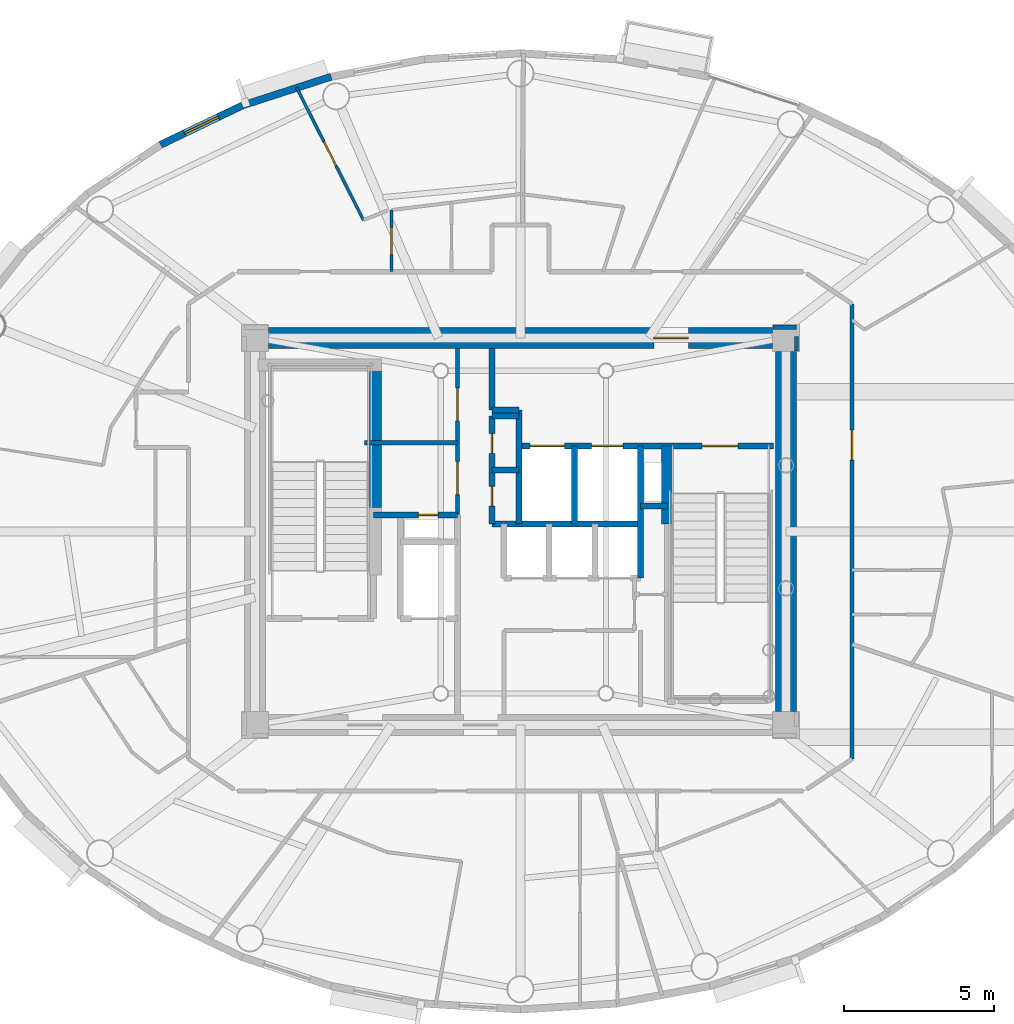
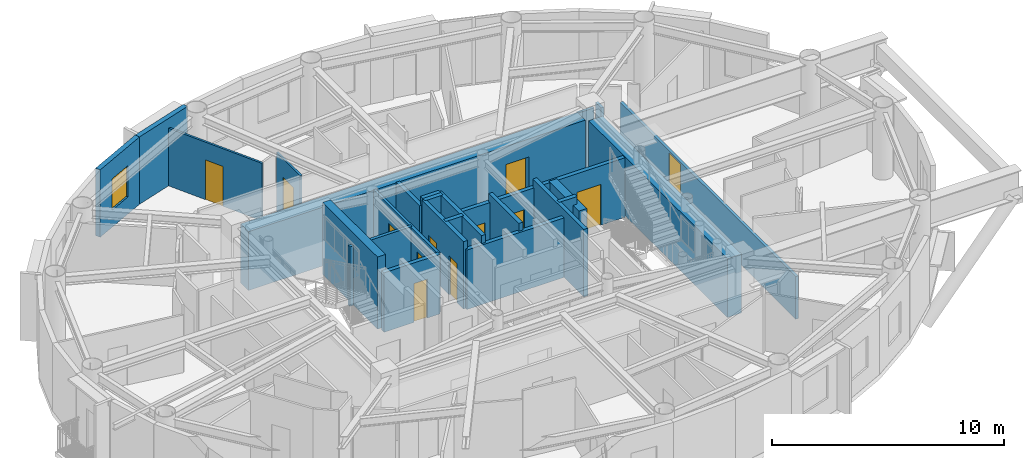
# One storey, part 8 of 17: 25 walls, 12 doors, 1 window, 13 openings.
"""IFC4 building model written with IfcOpenShell, lengths in metres."""

from ifc_helpers import new_model, si_unit, direction, frame, frame_2d, origin, origin_2d, place, context, subcontext, project, spatial, rectangle, extrude, source, transform, mapped, material, layer, layer_set, type_object, element, fill, save


model = new_model("IFC4")

# Units and contexts
model_context = context("Model", 3, precision=1e-05, world=origin(), true_north=direction((0.0, 1.0)))
body_context = subcontext(model_context, "Body", "Model", "MODEL_VIEW")
ifc_project = project(units=[si_unit("LENGTHUNIT", "METRE"), si_unit("AREAUNIT", "SQUARE_METRE"), si_unit("VOLUMEUNIT", "CUBIC_METRE"), si_unit("PLANEANGLEUNIT", "RADIAN"), si_unit("MASSUNIT", "GRAM", prefix="KILO")], contexts=[model_context])

# Site, building, storey
site_placement = place(None, origin())
site = spatial("IfcSite", under=ifc_project, at=site_placement, CompositionType="ELEMENT")
building_placement = place(site_placement, origin())
building = spatial("IfcBuilding", under=site, at=building_placement, Name="Linh Dai School and Residence Tower", CompositionType="ELEMENT")
storey_placement = place(building_placement, frame((0.0, 0.0, 335.39990234375)))
storey = spatial("IfcBuildingStorey", under=building, at=storey_placement, Name="L83", CompositionType="ELEMENT", Elevation=335.39990234375)

# Wall
ifc_material_1 = material(Name="Precast Concrete B45 (C35/45)", Category="concrete")
ifc_layer_1 = layer(ifc_material_1, 0.239990234375)
ifc_layer_set_1 = layer_set([ifc_layer_1], Name="Precast Concrete B45 (C35/45)")
wall_type_1 = type_object("IfcWallType", Name="EW-TC-240", PredefinedType="SOLIDWALL", material=ifc_layer_set_1)
wall_1_placement = place(storey_placement, frame((26.739501953125, 41.18896484375, 0.0), z_axis=(0.0, 0.0, 1.0), x_axis=(0.951212850731, 0.308535431682, 0.0)))
element("IfcWall", 1, at=wall_1_placement, inside=storey, type_object=wall_type_1, Name="L83 Terracotta Exterior Wall 13", PredefinedType="SOLIDWALL", context=body_context, shape_type="SweptSolid", body=[
    extrude(rectangle(XDim=3.108154296875, YDim=0.239990234375, at=frame_2d((1.55419921875, 0.0))), origin(), (0.0, 0.0, 1.0), 3.550048828125),
])

# Wall, opening, window
wall_2_placement = place(storey_placement, frame((24.01220703125, 39.880126953125, 0.0), z_axis=(0.0, 0.0, 1.0), x_axis=(0.901557057889, 0.432660226241, 0.0)))
wall_2 = element("IfcWall", 2, at=wall_2_placement, inside=storey, type_object=wall_type_1, Name="L83 Terracotta Exterior Wall 14", PredefinedType="SOLIDWALL", context=body_context, shape_type="SweptSolid", body=[
    extrude(rectangle(XDim=3.025146484375, YDim=0.239990234375, at=frame_2d((1.5126953125, 0.0))), origin(), (0.0, 0.0, 1.0), 3.550048828125),
])
opening_1_placement = place(wall_2_placement, frame((0.8876953125, 0.0, 0.89990234375)))
opening_1 = element("IfcOpeningElement", 3, at=opening_1_placement, cuts=wall_2, Name="Opening W3", PredefinedType="OPENING", context=body_context, shape_type="SweptSolid", body=[
    extrude(rectangle(XDim=1.25, YDim=1.64990234375, at=origin_2d()), frame((0.625, 0.1298828125, 0.824951171875), z_axis=(0.0, -1.0, 0.0), x_axis=(1.0, 0.0, 0.0)), (0.0, 0.0, 1.0), 0.260009765625),
])
ifc_material_2 = material(Name="Double Low-E Insulated Glazing", Category="glass")
window_type = type_object("IfcWindowType", Name="WN-RES-1250x1650", PartitioningType="SINGLE_PANEL", PredefinedType="WINDOW", material=ifc_material_2)
shared_shape_1 = source(origin(), body_context, "Body", "SweptSolid", [
    extrude(rectangle(XDim=1.25, YDim=1.64990234375, at=origin_2d()), frame((0.625, 0.030029296875, 0.824951171875), z_axis=(0.0, -1.0, 0.0), x_axis=(1.0, 0.0, 0.0)), (0.0, 0.0, 1.0), 0.06005859375),
])
window_placement = place(opening_1_placement, origin())
window = element("IfcWindow", 4, at=window_placement, inside=storey, type_object=window_type, Name="L83 Exterior Window 14.1", OverallHeight=1.64990234375, OverallWidth=1.25, PartitioningType="SINGLE_PANEL", PredefinedType="WINDOW", context=body_context, shape_type="MappedRepresentation", body=[
    mapped(shared_shape_1, transform((0.0, 0.0, 0.0), x_axis=(1.0, 0.0, 0.0), y_axis=(0.0, 1.0, 0.0), z_axis=(0.0, 0.0, 1.0), scale=1.0)),
])
fill(opening_1, window)

# Wall, openings, doors
ifc_material_3 = material(Name="Autoclaved Aerated Concrete Blockwork", Category="masonry")
ifc_layer_2 = layer(ifc_material_3, 0.135009765625)
ifc_layer_set_2 = layer_set([ifc_layer_2], Name="Autoclaved Aerated Concrete Blockwork")
wall_type_2 = type_object("IfcWallType", Name="IW-CORR-135-EI90", PredefinedType="PARTITIONING", material=ifc_layer_set_2)
wall_3_placement = place(storey_placement, frame((33.89990234375, 27.56005859375, 0.0), z_axis=(0.0, 0.0, 1.0), x_axis=(0.0, 1.0, 0.0)))
wall_3 = element("IfcWall", 5, at=wall_3_placement, inside=storey, type_object=wall_type_2, Name="L83 Interior Partition Wall 039", PredefinedType="PARTITIONING", context=body_context, shape_type="SweptSolid", body=[
    extrude(rectangle(XDim=5.5400390625, YDim=0.135009765625, at=frame_2d((2.77001953125, 0.0))), origin(), (0.0, 0.0, 1.0), 3.135009765625),
])
opening_2_placement = place(wall_3_placement, frame((0.6650390625, 0.0, 0.0)))
opening_2 = element("IfcOpeningElement", 6, at=opening_2_placement, cuts=wall_3, Name="Opening D07", PredefinedType="OPENING", context=body_context, shape_type="SweptSolid", body=[
    extrude(rectangle(XDim=1.10009765625, YDim=2.14990234375, at=origin_2d()), frame((0.550048828125, 0.07763671875, 1.074951171875), z_axis=(0.0, -1.0, 0.0), x_axis=(1.0, 0.0, 0.0)), (0.0, 0.0, 1.0), 0.155029296875),
])
opening_3_placement = place(wall_3_placement, frame((3.117431640625, 0.0, 0.0)))
opening_3 = element("IfcOpeningElement", 7, at=opening_3_placement, cuts=wall_3, Name="Opening D07", PredefinedType="OPENING", context=body_context, shape_type="SweptSolid", body=[
    extrude(rectangle(XDim=1.10009765625, YDim=2.14990234375, at=origin_2d()), frame((0.550048828125, 0.07763671875, 1.074951171875), z_axis=(0.0, -1.0, 0.0), x_axis=(1.0, 0.0, 0.0)), (0.0, 0.0, 1.0), 0.155029296875),
])
ifc_material_4 = material(Name="Fire-Rated Louvred Steel Plant Door", Category="steel")
door_type_1 = type_object("IfcDoorType", Name="DR-PLT-1100x2150-FD60S", OperationType="NOTDEFINED", PredefinedType="DOOR", material=ifc_material_4)
shared_shape_2 = source(origin(), body_context, "Body", "SweptSolid", [
    extrude(rectangle(XDim=1.10009765625, YDim=2.14990234375, at=origin_2d()), frame((0.550048828125, 0.02490234375, 1.074951171875), z_axis=(0.0, -1.0, 0.0), x_axis=(1.0, 0.0, 0.0)), (0.0, 0.0, 1.0), 0.050048828125),
])
door_1_placement = place(opening_2_placement, origin())
door_1 = element("IfcDoor", 8, at=door_1_placement, inside=storey, type_object=door_type_1, Name="L83 BMS and Data Room Door", OperationType="SINGLE_SWING_RIGHT", OverallHeight=2.14990234375, OverallWidth=1.10009765625, PredefinedType="DOOR", context=body_context, shape_type="MappedRepresentation", body=[
    mapped(shared_shape_2, transform((0.0, 0.0, 0.0), x_axis=(1.0, 0.0, 0.0), y_axis=(0.0, 1.0, 0.0), z_axis=(0.0, 0.0, 1.0), scale=1.0)),
])
fill(opening_2, door_1)
door_2_placement = place(opening_3_placement, origin())
door_2 = element("IfcDoor", 9, at=door_2_placement, inside=storey, type_object=door_type_1, Name="L83 Housekeeping Linen Room Door", OperationType="SINGLE_SWING_LEFT", OverallHeight=2.14990234375, OverallWidth=1.10009765625, PredefinedType="DOOR", context=body_context, shape_type="MappedRepresentation", body=[
    mapped(shared_shape_2, transform((0.0, 0.0, 0.0), x_axis=(1.0, 0.0, 0.0), y_axis=(0.0, 1.0, 0.0), z_axis=(0.0, 0.0, 1.0), scale=1.0)),
])
fill(opening_3, door_2)

# Wall, opening, door
wall_4_placement = place(storey_placement, frame((47.050048828125, 19.41748046875, 0.0), z_axis=(0.0, 0.0, 1.0), x_axis=(0.0, 1.0, 0.0)))
wall_4 = element("IfcWall", 10, at=wall_4_placement, inside=storey, type_object=wall_type_2, Name="L83 Interior Partition Wall 081", PredefinedType="PARTITIONING", context=body_context, shape_type="SweptSolid", body=[
    extrude(rectangle(XDim=15.1650390625, YDim=0.135009765625, at=frame_2d((7.58251953125, 0.0))), origin(), (0.0, 0.0, 1.0), 2.25),
])
opening_4_placement = place(wall_4_placement, frame((9.95703125, 0.0, 0.0)))
opening_4 = element("IfcOpeningElement", 11, at=opening_4_placement, cuts=wall_4, Name="Opening D03", PredefinedType="OPENING", context=body_context, shape_type="SweptSolid", body=[
    extrude(rectangle(XDim=1.0, YDim=2.14990234375, at=origin_2d()), frame((0.5, 0.07763671875, 1.074951171875), z_axis=(0.0, -1.0, 0.0), x_axis=(1.0, 0.0, 0.0)), (0.0, 0.0, 1.0), 0.155029296875),
])
ifc_material_5 = material(Name="Fire-Rated Solid Timber Entrance Door", Category="wood")
door_type_2 = type_object("IfcDoorType", Name="DR-FLAT-1000x2150-FD60S", OperationType="NOTDEFINED", PredefinedType="DOOR", material=ifc_material_5)
shared_shape_3 = source(origin(), body_context, "Body", "SweptSolid", [
    extrude(rectangle(XDim=1.0, YDim=2.14990234375, at=origin_2d()), frame((0.5, 0.02490234375, 1.074951171875), z_axis=(0.0, -1.0, 0.0), x_axis=(1.0, 0.0, 0.0)), (0.0, 0.0, 1.0), 0.050048828125),
])
door_3_placement = place(opening_4_placement, origin())
door_3 = element("IfcDoor", 12, at=door_3_placement, inside=storey, type_object=door_type_2, Name="L83 U8307 Apartment Entrance Door", OperationType="SINGLE_SWING_RIGHT", OverallHeight=2.14990234375, OverallWidth=1.0, PredefinedType="DOOR", context=body_context, shape_type="MappedRepresentation", body=[
    mapped(shared_shape_3, transform((0.0, 0.0, 0.0), x_axis=(1.0, 0.0, 0.0), y_axis=(0.0, 1.0, 0.0), z_axis=(0.0, 0.0, 1.0), scale=1.0)),
])
fill(opening_4, door_3)

# Walls
wall_5_placement = place(storey_placement, frame((45.199951171875, 33.800048828125, 0.0), z_axis=(0.0, 0.0, 1.0), x_axis=(-1.0, 0.0, 0.0)))
element("IfcWall", 13, at=wall_5_placement, inside=storey, type_object=wall_type_2, Name="L83 Interior Partition Wall 096", PredefinedType="PARTITIONING", context=body_context, shape_type="SweptSolid", body=[
    extrude(rectangle(XDim=0.7900390625, YDim=0.135009765625, at=frame_2d((0.39501953125, 0.0))), origin(), (0.0, 0.0, 1.0), 3.085205078125),
])
wall_6_placement = place(storey_placement, frame((45.199951171875, 33.010009765625, 0.0), z_axis=(0.0, 0.0, 1.0), x_axis=(0.0, 1.0, 0.0)))
element("IfcWall", 14, at=wall_6_placement, inside=storey, type_object=wall_type_2, Name="L83 Interior Partition Wall 103", PredefinedType="PARTITIONING", context=body_context, shape_type="SweptSolid", body=[
    extrude(rectangle(XDim=0.482421875, YDim=0.135009765625, at=frame_2d((0.2412109375, 0.0))), origin(), (0.0, 0.0, 1.0), 3.550048828125),
])
ifc_layer_3 = layer(ifc_material_3, 0.14990234375)
ifc_layer_set_3 = layer_set([ifc_layer_3], Name="Autoclaved Aerated Concrete Blockwork")
wall_type_3 = type_object("IfcWallType", Name="IW-SCH-150-EI60", PredefinedType="PARTITIONING", material=ifc_layer_set_3)
wall_7_placement = place(storey_placement, frame((30.800048828125, 29.949951171875, 0.0), z_axis=(0.0, 0.0, 1.0), x_axis=(1.0, 0.0, 0.0)))
element("IfcWall", 15, at=wall_7_placement, inside=storey, type_object=wall_type_3, Name="L83 Interior Partition Wall 027", PredefinedType="PARTITIONING", context=body_context, shape_type="SweptSolid", body=[
    extrude(rectangle(XDim=3.099853515625, YDim=0.14990234375, at=frame_2d((1.5498046875, 0.0))), origin(), (0.0, 0.0, 1.0), 3.135009765625),
])

# Wall, opening, door
ifc_material_6 = material(Name="Concrete B45 (C35/45)", Category="concrete")
ifc_layer_4 = layer(ifc_material_6, 0.199951171875)
ifc_layer_set_4 = layer_set([ifc_layer_4], Name="Concrete B45 (C35/45)")
wall_type_4 = type_object("IfcWallType", Name="IW-SHAFT-200-EI120", PredefinedType="PARTITIONING", material=ifc_layer_set_4)
wall_8_placement = place(storey_placement, frame((31.10009765625, 27.550048828125, 0.0), z_axis=(0.0, 0.0, 1.0), x_axis=(1.0, 0.0, 0.0)))
wall_8 = element("IfcWall", 16, at=wall_8_placement, inside=storey, type_object=wall_type_4, Name="L83 Interior Partition Wall 029", PredefinedType="PARTITIONING", context=body_context, shape_type="SweptSolid", body=[
    extrude(rectangle(XDim=2.7998046875, YDim=0.199951171875, at=frame_2d((1.39990234375, 0.0))), origin(), (0.0, 0.0, 1.0), 3.135009765625),
])
opening_5_placement = place(wall_8_placement, frame((1.5, 0.0, 0.0)))
opening_5 = element("IfcOpeningElement", 17, at=opening_5_placement, cuts=wall_8, Name="Opening AD1", PredefinedType="OPENING", context=body_context, shape_type="SweptSolid", body=[
    extrude(rectangle(XDim=0.659912109375, YDim=2.050048828125, at=origin_2d()), frame((0.330078125, 0.10986328125, 1.02490234375), z_axis=(0.0, -1.0, 0.0), x_axis=(1.0, 0.0, 0.0)), (0.0, 0.0, 1.0), 0.219970703125),
])
ifc_material_7 = material(Name="Fire-Rated Steel Riser Access Door", Category="steel")
door_type_3 = type_object("IfcDoorType", Name="DR-ACC-660x2050-FD90S", OperationType="NOTDEFINED", PredefinedType="USERDEFINED", material=ifc_material_7)
shared_shape_4 = source(origin(), body_context, "Body", "SweptSolid", [
    extrude(rectangle(XDim=0.659912109375, YDim=2.050048828125, at=origin_2d()), frame((0.330078125, 0.02490234375, 1.02490234375), z_axis=(0.0, -1.0, 0.0), x_axis=(1.0, 0.0, 0.0)), (0.0, 0.0, 1.0), 0.050048828125),
])
door_4_placement = place(opening_5_placement, origin())
door_4 = element("IfcDoor", 18, at=door_4_placement, inside=storey, type_object=door_type_3, Name="L83 Main Electrical Riser Access Door", ObjectType="ACCESS DOOR", OperationType="SINGLE_SWING_RIGHT", OverallHeight=2.050048828125, OverallWidth=0.659912109375, PredefinedType="USERDEFINED", context=body_context, shape_type="MappedRepresentation", body=[
    mapped(shared_shape_4, transform((0.0, 0.0, 0.0), x_axis=(1.0, 0.0, 0.0), y_axis=(0.0, 1.0, 0.0), z_axis=(0.0, 0.0, 1.0), scale=1.0)),
])
fill(opening_5, door_4)

# Wall, openings, doors
wall_9_placement = place(storey_placement, frame((35.050048828125, 27.25, 0.0), z_axis=(0.0, 0.0, 1.0), x_axis=(0.0, 1.0, 0.0)))
wall_9 = element("IfcWall", 19, at=wall_9_placement, inside=storey, type_object=wall_type_4, Name="L83 Interior Partition Wall 040", PredefinedType="PARTITIONING", context=body_context, shape_type="SweptSolid", body=[
    extrude(rectangle(XDim=3.60009765625, YDim=0.199951171875, at=frame_2d((1.800048828125, 0.0))), origin(), (0.0, 0.0, 1.0), 3.550048828125),
])
opening_6_placement = place(wall_9_placement, frame((0.590087890625, 0.0, 0.0)))
opening_6 = element("IfcOpeningElement", 20, at=opening_6_placement, cuts=wall_9, Name="Opening AD1", PredefinedType="OPENING", context=body_context, shape_type="SweptSolid", body=[
    extrude(rectangle(XDim=0.659912109375, YDim=2.050048828125, at=origin_2d()), frame((0.330078125, 0.10986328125, 1.02490234375), z_axis=(0.0, -1.0, 0.0), x_axis=(1.0, 0.0, 0.0)), (0.0, 0.0, 1.0), 0.219970703125),
])
opening_7_placement = place(wall_9_placement, frame((2.35009765625, 0.0, 0.0)))
opening_7 = element("IfcOpeningElement", 21, at=opening_7_placement, cuts=wall_9, Name="Opening AD1", PredefinedType="OPENING", context=body_context, shape_type="SweptSolid", body=[
    extrude(rectangle(XDim=0.659912109375, YDim=2.050048828125, at=origin_2d()), frame((0.330078125, 0.10986328125, 1.02490234375), z_axis=(0.0, -1.0, 0.0), x_axis=(1.0, 0.0, 0.0)), (0.0, 0.0, 1.0), 0.219970703125),
])
door_5_placement = place(opening_6_placement, origin())
door_5 = element("IfcDoor", 22, at=door_5_placement, inside=storey, type_object=door_type_3, Name="L83 Telecom and Data Riser Access Door", ObjectType="ACCESS DOOR", OperationType="SINGLE_SWING_LEFT", OverallHeight=2.050048828125, OverallWidth=0.659912109375, PredefinedType="USERDEFINED", context=body_context, shape_type="MappedRepresentation", body=[
    mapped(shared_shape_4, transform((0.0, 0.0, 0.0), x_axis=(1.0, 0.0, 0.0), y_axis=(0.0, 1.0, 0.0), z_axis=(0.0, 0.0, 1.0), scale=1.0)),
])
fill(opening_6, door_5)
door_6_placement = place(opening_7_placement, origin())
door_6 = element("IfcDoor", 23, at=door_6_placement, inside=storey, type_object=door_type_3, Name="L83 Mechanical and Plumbing Riser Access Door", ObjectType="ACCESS DOOR", OperationType="SINGLE_SWING_RIGHT", OverallHeight=2.050048828125, OverallWidth=0.659912109375, PredefinedType="USERDEFINED", context=body_context, shape_type="MappedRepresentation", body=[
    mapped(shared_shape_4, transform((0.0, 0.0, 0.0), x_axis=(1.0, 0.0, 0.0), y_axis=(0.0, 1.0, 0.0), z_axis=(0.0, 0.0, 1.0), scale=1.0)),
])
fill(opening_7, door_6)

# Walls
wall_10_placement = place(storey_placement, frame((35.050048828125, 27.25, 0.0), z_axis=(0.0, 0.0, 1.0), x_axis=(1.0, 0.0, 0.0)))
element("IfcWall", 24, at=wall_10_placement, inside=storey, type_object=wall_type_4, Name="L83 Interior Partition Wall 041", PredefinedType="PARTITIONING", context=body_context, shape_type="SweptSolid", body=[
    extrude(rectangle(XDim=4.949951171875, YDim=0.199951171875, at=frame_2d((2.47509765625, 0.0))), origin(), (0.0, 0.0, 1.0), 3.135009765625),
])
for number, where, z_axis, x_axis, name in (
    (25, (35.050048828125, 29.050048828125, 0.0), (0.0, 0.0, 1.0), (1.0, 0.0, 0.0), "L83 Interior Partition Wall 042"),
    (26, (35.050048828125, 30.85009765625, 0.0), (0.0, 0.0, 1.0), (1.0, 0.0, 0.0), "L83 Interior Partition Wall 043"),
):
    element("IfcWall", number, at=place(storey_placement, frame(where, z_axis=z_axis, x_axis=x_axis)), inside=storey, type_object=wall_type_4, Name=name, PredefinedType="PARTITIONING", context=body_context, shape_type="SweptSolid", body=[
        extrude(rectangle(XDim=0.89990234375, YDim=0.199951171875, at=frame_2d((0.449951171875, 0.0))), origin(), (0.0, 0.0, 1.0), 3.550048828125),
    ])
wall_11_placement = place(storey_placement, frame((35.050048828125, 31.050048828125, 0.0), z_axis=(0.0, 0.0, 1.0), x_axis=(0.0, 1.0, 0.0)))
element("IfcWall", 27, at=wall_11_placement, inside=storey, type_object=wall_type_4, Name="L83 Interior Partition Wall 044", PredefinedType="PARTITIONING", context=body_context, shape_type="SweptSolid", body=[
    extrude(rectangle(XDim=2.050048828125, YDim=0.199951171875, at=frame_2d((1.02490234375, 0.0))), origin(), (0.0, 0.0, 1.0), 3.135009765625),
])
wall_12_placement = place(storey_placement, frame((35.050048828125, 31.050048828125, 0.0), z_axis=(0.0, 0.0, 1.0), x_axis=(1.0, 0.0, 0.0)))
element("IfcWall", 28, at=wall_12_placement, inside=storey, type_object=wall_type_4, Name="L83 Interior Partition Wall 045", PredefinedType="PARTITIONING", context=body_context, shape_type="SweptSolid", body=[
    extrude(rectangle(XDim=0.89990234375, YDim=0.199951171875, at=frame_2d((0.449951171875, 0.0))), origin(), (0.0, 0.0, 1.0), 3.550048828125),
])
wall_13_placement = place(storey_placement, frame((35.949951171875, 27.25, 0.0), z_axis=(0.0, 0.0, 1.0), x_axis=(0.0, 1.0, 0.0)))
element("IfcWall", 29, at=wall_13_placement, inside=storey, type_object=wall_type_4, Name="L83 Interior Partition Wall 052", PredefinedType="PARTITIONING", context=body_context, shape_type="SweptSolid", body=[
    extrude(rectangle(XDim=3.800048828125, YDim=0.199951171875, at=frame_2d((1.89990234375, 0.0))), origin(), (0.0, 0.0, 1.0), 3.550048828125),
])

# Wall, openings, doors
wall_14_placement = place(storey_placement, frame((35.949951171875, 29.85009765625, 0.0), z_axis=(0.0, 0.0, 1.0), x_axis=(1.0, 0.0, 0.0)))
wall_14 = element("IfcWall", 30, at=wall_14_placement, inside=storey, type_object=wall_type_4, Name="L83 Interior Partition Wall 053", PredefinedType="PARTITIONING", context=body_context, shape_type="SweptSolid", body=[
    extrude(rectangle(XDim=8.489990234375, YDim=0.199951171875, at=frame_2d((4.2451171875, 0.0))), origin(), (0.0, 0.0, 1.0), 3.135009765625),
])
opening_8_placement = place(wall_14_placement, frame((6.10009765625, 0.0, 0.0)))
opening_8 = element("IfcOpeningElement", 31, at=opening_8_placement, cuts=wall_14, Name="Opening D01", PredefinedType="OPENING", context=body_context, shape_type="SweptSolid", body=[
    extrude(rectangle(XDim=1.199951171875, YDim=2.14990234375, at=origin_2d()), frame((0.60009765625, 0.10986328125, 1.074951171875), z_axis=(0.0, -1.0, 0.0), x_axis=(1.0, 0.0, 0.0)), (0.0, 0.0, 1.0), 0.219970703125),
])
opening_9_placement = place(wall_14_placement, frame((0.3701171875, 0.0, 0.0)))
opening_9 = element("IfcOpeningElement", 32, at=opening_9_placement, cuts=wall_14, Name="Opening LD-FF1", PredefinedType="OPENING", context=body_context, shape_type="SweptSolid", body=[
    extrude(rectangle(XDim=1.14990234375, YDim=2.14990234375, at=origin_2d()), frame((0.574951171875, 0.10986328125, 1.074951171875), z_axis=(0.0, -1.0, 0.0), x_axis=(1.0, 0.0, 0.0)), (0.0, 0.0, 1.0), 0.219970703125),
])
opening_10_placement = place(wall_14_placement, frame((2.425048828125, 0.0, 0.0)))
opening_10 = element("IfcOpeningElement", 33, at=opening_10_placement, cuts=wall_14, Name="Opening LD-SV1", PredefinedType="OPENING", context=body_context, shape_type="SweptSolid", body=[
    extrude(rectangle(XDim=1.050048828125, YDim=2.14990234375, at=origin_2d()), frame((0.52490234375, 0.10986328125, 1.074951171875), z_axis=(0.0, -1.0, 0.0), x_axis=(1.0, 0.0, 0.0)), (0.0, 0.0, 1.0), 0.219970703125),
])
ifc_material_8 = material(Name="Fire-Rated Steel Door Leaf", Category="steel")
door_type_4 = type_object("IfcDoorType", Name="DR-STAIR-1200x2150-FD90S", OperationType="NOTDEFINED", PredefinedType="DOOR", material=ifc_material_8)
shared_shape_5 = source(origin(), body_context, "Body", "SweptSolid", [
    extrude(rectangle(XDim=1.199951171875, YDim=2.14990234375, at=origin_2d()), frame((0.60009765625, 0.02490234375, 1.074951171875), z_axis=(0.0, -1.0, 0.0), x_axis=(1.0, 0.0, 0.0)), (0.0, 0.0, 1.0), 0.050048828125),
])
door_7_placement = place(opening_8_placement, origin())
door_7 = element("IfcDoor", 34, at=door_7_placement, inside=storey, type_object=door_type_4, Name="L83 Core Smokeproof Exit Stair ST2 Door", OperationType="SINGLE_SWING_LEFT", OverallHeight=2.14990234375, OverallWidth=1.199951171875, PredefinedType="DOOR", context=body_context, shape_type="MappedRepresentation", body=[
    mapped(shared_shape_5, transform((0.0, 0.0, 0.0), x_axis=(1.0, 0.0, 0.0), y_axis=(0.0, 1.0, 0.0), z_axis=(0.0, 0.0, 1.0), scale=1.0)),
])
fill(opening_8, door_7)
ifc_material_9 = material(Name="Fire-Rated Stainless Steel Firefighting Lift Door", Category="steel")
door_type_5 = type_object("IfcDoorType", Name="DR-LD-FF-1150x2150-FD120", OperationType="DOUBLE_DOOR_SLIDING", PredefinedType="USERDEFINED", material=ifc_material_9)
shared_shape_6 = source(origin(), body_context, "Body", "SweptSolid", [
    extrude(rectangle(XDim=1.14990234375, YDim=2.14990234375, at=origin_2d()), frame((0.574951171875, 0.02490234375, 1.074951171875), z_axis=(0.0, -1.0, 0.0), x_axis=(1.0, 0.0, 0.0)), (0.0, 0.0, 1.0), 0.050048828125),
])
door_8_placement = place(opening_9_placement, origin())
door_8 = element("IfcDoor", 35, at=door_8_placement, inside=storey, type_object=door_type_5, Name="L83 Lift FF1 Sliding Landing Door", ObjectType="LANDING DOOR", OperationType="DOUBLE_DOOR_SLIDING", OverallHeight=2.14990234375, OverallWidth=1.14990234375, PredefinedType="USERDEFINED", context=body_context, shape_type="MappedRepresentation", body=[
    mapped(shared_shape_6, transform((0.0, 0.0, 0.0), x_axis=(1.0, 0.0, 0.0), y_axis=(0.0, 1.0, 0.0), z_axis=(0.0, 0.0, 1.0), scale=1.0)),
])
fill(opening_9, door_8)
ifc_material_10 = material(Name="Brushed Stainless Steel Lift Landing Door", Category="steel")
door_type_6 = type_object("IfcDoorType", Name="DR-LD-PASS-1050x2150", OperationType="DOUBLE_DOOR_SLIDING", PredefinedType="USERDEFINED", material=ifc_material_10)
shared_shape_7 = source(origin(), body_context, "Body", "SweptSolid", [
    extrude(rectangle(XDim=1.050048828125, YDim=2.14990234375, at=origin_2d()), frame((0.52490234375, 0.02490234375, 1.074951171875), z_axis=(0.0, -1.0, 0.0), x_axis=(1.0, 0.0, 0.0)), (0.0, 0.0, 1.0), 0.050048828125),
])
door_9_placement = place(opening_10_placement, origin())
door_9 = element("IfcDoor", 36, at=door_9_placement, inside=storey, type_object=door_type_6, Name="L83 Lift SV1 Sliding Landing Door", ObjectType="LANDING DOOR", OperationType="DOUBLE_DOOR_SLIDING", OverallHeight=2.14990234375, OverallWidth=1.050048828125, PredefinedType="USERDEFINED", context=body_context, shape_type="MappedRepresentation", body=[
    mapped(shared_shape_7, transform((0.0, 0.0, 0.0), x_axis=(1.0, 0.0, 0.0), y_axis=(0.0, 1.0, 0.0), z_axis=(0.0, 0.0, 1.0), scale=1.0)),
])
fill(opening_10, door_9)

# Walls
wall_15_placement = place(storey_placement, frame((37.800048828125, 27.25, 0.0), z_axis=(0.0, 0.0, 1.0), x_axis=(0.0, 1.0, 0.0)))
element("IfcWall", 37, at=wall_15_placement, inside=storey, type_object=wall_type_4, Name="L83 Interior Partition Wall 059", PredefinedType="PARTITIONING", context=body_context, shape_type="SweptSolid", body=[
    extrude(rectangle(XDim=2.60009765625, YDim=0.199951171875, at=frame_2d((1.300048828125, 0.0))), origin(), (0.0, 0.0, 1.0), 3.550048828125),
])
wall_16_placement = place(storey_placement, frame((40.0, 25.449951171875, 0.0), z_axis=(0.0, 0.0, 1.0), x_axis=(0.0, 1.0, 0.0)))
element("IfcWall", 38, at=wall_16_placement, inside=storey, type_object=wall_type_4, Name="L83 Interior Partition Wall 070", PredefinedType="PARTITIONING", context=body_context, shape_type="SweptSolid", body=[
    extrude(rectangle(XDim=4.400146484375, YDim=0.199951171875, at=frame_2d((2.2001953125, 0.0))), origin(), (0.0, 0.0, 1.0), 3.550048828125),
])
wall_17_placement = place(storey_placement, frame((40.0, 27.85009765625, 0.0), z_axis=(0.0, 0.0, 1.0), x_axis=(1.0, 0.0, 0.0)))
element("IfcWall", 39, at=wall_17_placement, inside=storey, type_object=wall_type_4, Name="L83 Interior Partition Wall 071", PredefinedType="PARTITIONING", context=body_context, shape_type="SweptSolid", body=[
    extrude(rectangle(XDim=0.89990234375, YDim=0.199951171875, at=frame_2d((0.449951171875, 0.0))), origin(), (0.0, 0.0, 1.0), 3.550048828125),
])

# Wall, opening, door
ifc_material_11 = material(Name="Gypsum Plasterboard Acoustic Stud Partition", Category="masonry")
ifc_layer_5 = layer(ifc_material_11, 0.10009765625)
ifc_layer_set_5 = layer_set([ifc_layer_5], Name="Gypsum Plasterboard Acoustic Stud Partition")
wall_type_5 = type_object("IfcWallType", Name="IW-UNIT-100", PredefinedType="PARTITIONING", material=ifc_layer_set_5)
wall_18_placement = place(storey_placement, frame((28.547607421875, 41.78076171875, 0.0), z_axis=(0.0, 0.0, 1.0), x_axis=(0.450197256642, -0.892929129389, 0.0)))
wall_18 = element("IfcWall", 40, at=wall_18_placement, inside=storey, type_object=wall_type_5, Name="L83 Interior Partition Wall 024", PredefinedType="PARTITIONING", context=body_context, shape_type="SweptSolid", body=[
    extrude(rectangle(XDim=4.938232421875, YDim=0.10009765625, at=frame_2d((2.46923828125, 0.0))), origin(), (0.0, 0.0, 1.0), 3.03515625),
])
opening_11_placement = place(wall_18_placement, frame((2.01904296875, 0.0, 0.0)))
opening_11 = element("IfcOpeningElement", 41, at=opening_11_placement, cuts=wall_18, Name="Opening D05", PredefinedType="OPENING", context=body_context, shape_type="SweptSolid", body=[
    extrude(rectangle(XDim=0.89990234375, YDim=2.10009765625, at=origin_2d()), frame((0.449951171875, 0.06005859375, 1.050048828125), z_axis=(0.0, -1.0, 0.0), x_axis=(1.0, 0.0, 0.0)), (0.0, 0.0, 1.0), 0.1201171875),
])
ifc_material_12 = material(Name="Engineered Timber Internal Door", Category="wood")
door_type_7 = type_object("IfcDoorType", Name="DR-INT-900x2100", OperationType="NOTDEFINED", PredefinedType="DOOR", material=ifc_material_12)
shared_shape_8 = source(origin(), body_context, "Body", "SweptSolid", [
    extrude(rectangle(XDim=0.89990234375, YDim=2.10009765625, at=origin_2d()), frame((0.449951171875, 0.02490234375, 1.050048828125), z_axis=(0.0, -1.0, 0.0), x_axis=(1.0, 0.0, 0.0)), (0.0, 0.0, 1.0), 0.050048828125),
])
door_10_placement = place(opening_11_placement, origin())
door_10 = element("IfcDoor", 42, at=door_10_placement, inside=storey, type_object=door_type_7, Name="L83 Apartment U8302 Bedroom 1 Door", OperationType="SINGLE_SWING_RIGHT", OverallHeight=2.10009765625, OverallWidth=0.89990234375, PredefinedType="DOOR", context=body_context, shape_type="MappedRepresentation", body=[
    mapped(shared_shape_8, transform((0.0, 0.0, 0.0), x_axis=(1.0, 0.0, 0.0), y_axis=(0.0, 1.0, 0.0), z_axis=(0.0, 0.0, 1.0), scale=1.0)),
])
fill(opening_11, door_10)

wall_19_placement = place(storey_placement, frame((31.704345703125, 35.64990234375, 0.0), z_axis=(0.0, 0.0, 1.0), x_axis=(0.0, 1.0, 0.0)))
wall_19 = element("IfcWall", 43, at=wall_19_placement, inside=storey, type_object=wall_type_5, Name="L83 Interior Partition Wall 031", PredefinedType="PARTITIONING", context=body_context, shape_type="SweptSolid", body=[
    extrude(rectangle(XDim=2.0556640625, YDim=0.10009765625, at=frame_2d((1.02783203125, 0.0))), origin(), (0.0, 0.0, 1.0), 3.085205078125),
])
opening_12_placement = place(wall_19_placement, frame((0.577880859375, 0.0, 0.0)))
opening_12 = element("IfcOpeningElement", 44, at=opening_12_placement, cuts=wall_19, Name="Opening D05", PredefinedType="OPENING", context=body_context, shape_type="SweptSolid", body=[
    extrude(rectangle(XDim=0.89990234375, YDim=2.10009765625, at=origin_2d()), frame((0.449951171875, 0.06005859375, 1.050048828125), z_axis=(0.0, -1.0, 0.0), x_axis=(1.0, 0.0, 0.0)), (0.0, 0.0, 1.0), 0.1201171875),
])
door_11_placement = place(opening_12_placement, origin())
door_11 = element("IfcDoor", 45, at=door_11_placement, inside=storey, type_object=door_type_7, Name="L83 Apartment U8302 Kitchen Door", OperationType="SINGLE_SWING_LEFT", OverallHeight=2.10009765625, OverallWidth=0.89990234375, PredefinedType="DOOR", context=body_context, shape_type="MappedRepresentation", body=[
    mapped(shared_shape_8, transform((0.0, 0.0, 0.0), x_axis=(1.0, 0.0, 0.0), y_axis=(0.0, 1.0, 0.0), z_axis=(0.0, 0.0, 1.0), scale=1.0)),
])
fill(opening_12, door_11)

# Walls
ifc_layer_6 = layer(ifc_material_6, 0.39990234375)
ifc_layer_set_6 = layer_set([ifc_layer_6], Name="Concrete B45 (C35/45)")
wall_type_6 = type_object("IfcWallType", Name="WL-CORE400", PredefinedType="SHEAR", material=ifc_layer_set_6)
wall_20_placement = place(storey_placement, frame((31.179931640625, 27.800048828125, 0.0), z_axis=(0.0, 0.0, 1.0), x_axis=(0.0, 1.0, 0.0)))
element("IfcWall", 46, at=wall_20_placement, inside=storey, type_object=wall_type_6, Name="L83 Core Stair ST1 Bearing Wall E", PredefinedType="SHEAR", context=body_context, shape_type="SweptSolid", body=[
    extrude(rectangle(XDim=4.75, YDim=0.39990234375, at=frame_2d((2.375, 0.0))), origin(), (0.0, 0.0, 1.0), 3.800048828125),
])
wall_21_placement = place(storey_placement, frame((40.89990234375, 27.25, 0.0), z_axis=(0.0, 0.0, 1.0), x_axis=(0.0, 1.0, 0.0)))
element("IfcWall", 47, at=wall_21_placement, inside=storey, type_object=wall_type_6, Name="L83 Internal Core Shear Wall IE", PredefinedType="SHEAR", context=body_context, shape_type="SweptSolid", body=[
    extrude(rectangle(XDim=2.60009765625, YDim=0.39990234375, at=frame_2d((1.300048828125, 0.0))), origin(), (0.0, 0.0, 1.0), 3.150146484375),
])

# Wall, opening, door
ifc_layer_7 = layer(ifc_material_6, 0.699951171875)
ifc_layer_set_7 = layer_set([ifc_layer_7], Name="Concrete B45 (C35/45)")
wall_type_7 = type_object("IfcWallType", Name="WL-CORE700", PredefinedType="SHEAR", material=ifc_layer_set_7)
wall_22_placement = place(storey_placement, frame((27.60009765625, 33.449951171875, 0.0), z_axis=(0.0, 0.0, 1.0), x_axis=(1.0, 0.0, 0.0)))
wall_22 = element("IfcWall", 48, at=wall_22_placement, inside=storey, type_object=wall_type_7, Name="L83 Central Core Shear Wall N", PredefinedType="SHEAR", context=body_context, shape_type="SweptSolid", body=[
    extrude(rectangle(XDim=16.7998046875, YDim=0.699951171875, at=frame_2d((8.39990234375, 0.0))), origin(), (0.0, 0.0, 1.0), 3.10009765625),
])
opening_13_placement = place(wall_22_placement, frame((12.85009765625, 0.0, 0.0)))
opening_13 = element("IfcOpeningElement", 49, at=opening_13_placement, cuts=wall_22, Name="Opening D02", PredefinedType="OPENING", context=body_context, shape_type="SweptSolid", body=[
    extrude(rectangle(XDim=1.14990234375, YDim=2.14990234375, at=origin_2d()), frame((0.574951171875, 0.35986328125, 1.074951171875), z_axis=(0.0, -1.0, 0.0), x_axis=(1.0, 0.0, 0.0)), (0.0, 0.0, 1.0), 0.719970703125),
])
ifc_material_13 = material(Name="Fire-Rated Glazed Steel Lobby Door", Category="steel")
door_type_8 = type_object("IfcDoorType", Name="DR-LOBBY-1150x2150-FD90S", OperationType="NOTDEFINED", PredefinedType="DOOR", material=ifc_material_13)
shared_shape_9 = source(origin(), body_context, "Body", "SweptSolid", [
    extrude(rectangle(XDim=1.14990234375, YDim=2.14990234375, at=origin_2d()), frame((0.574951171875, 0.02490234375, 1.074951171875), z_axis=(0.0, -1.0, 0.0), x_axis=(1.0, 0.0, 0.0)), (0.0, 0.0, 1.0), 0.050048828125),
])
door_12_placement = place(opening_13_placement, origin())
door_12 = element("IfcDoor", 50, at=door_12_placement, inside=storey, type_object=door_type_8, Name="L83 Firefighting Lobby Door", OperationType="SINGLE_SWING_RIGHT", OverallHeight=2.14990234375, OverallWidth=1.14990234375, PredefinedType="DOOR", context=body_context, shape_type="MappedRepresentation", body=[
    mapped(shared_shape_9, transform((0.0, 0.0, 0.0), x_axis=(1.0, 0.0, 0.0), y_axis=(0.0, 1.0, 0.0), z_axis=(0.0, 0.0, 1.0), scale=1.0)),
])
fill(opening_13, door_12)

# Wall
wall_23_placement = place(storey_placement, frame((44.85009765625, 33.0, 0.0), z_axis=(0.0, 0.0, 1.0), x_axis=(0.0, -1.0, 0.0)))
element("IfcWall", 51, at=wall_23_placement, inside=storey, type_object=wall_type_7, Name="L83 Central Core Shear Wall E", PredefinedType="SHEAR", context=body_context, shape_type="SweptSolid", body=[
    extrude(rectangle(XDim=12.0, YDim=0.699951171875, at=frame_2d((6.0, 0.0))), origin(), (0.0, 0.0, 1.0), 3.10009765625),
])

save(model, "model.ifc")
